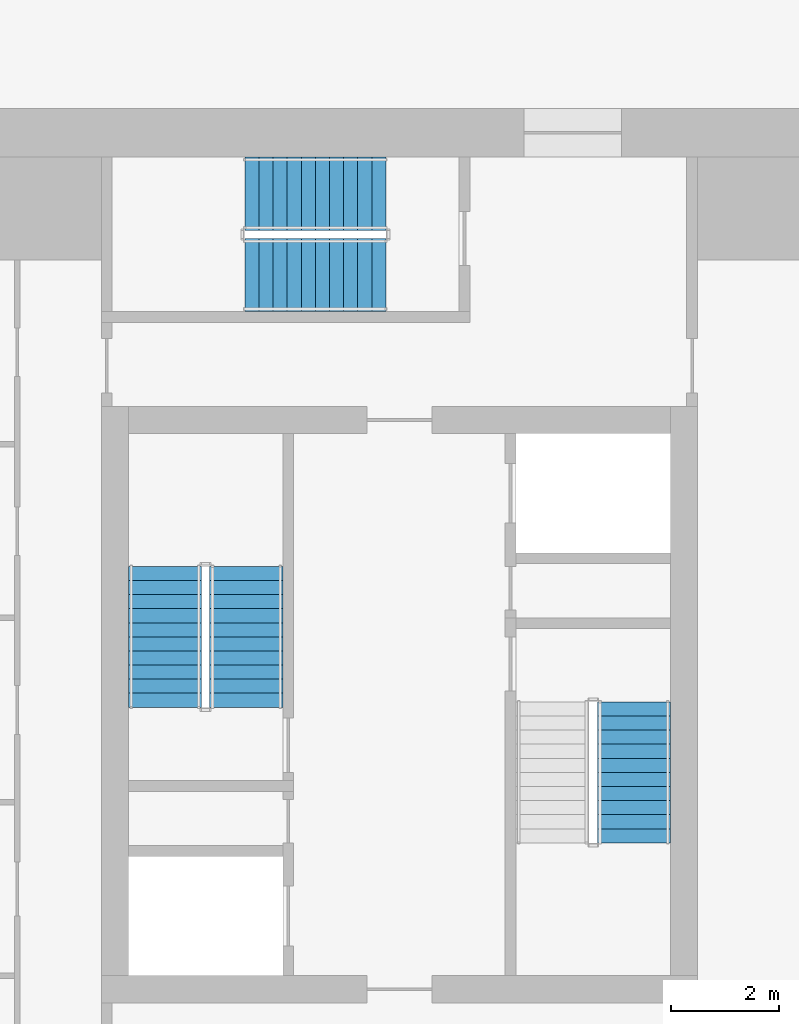
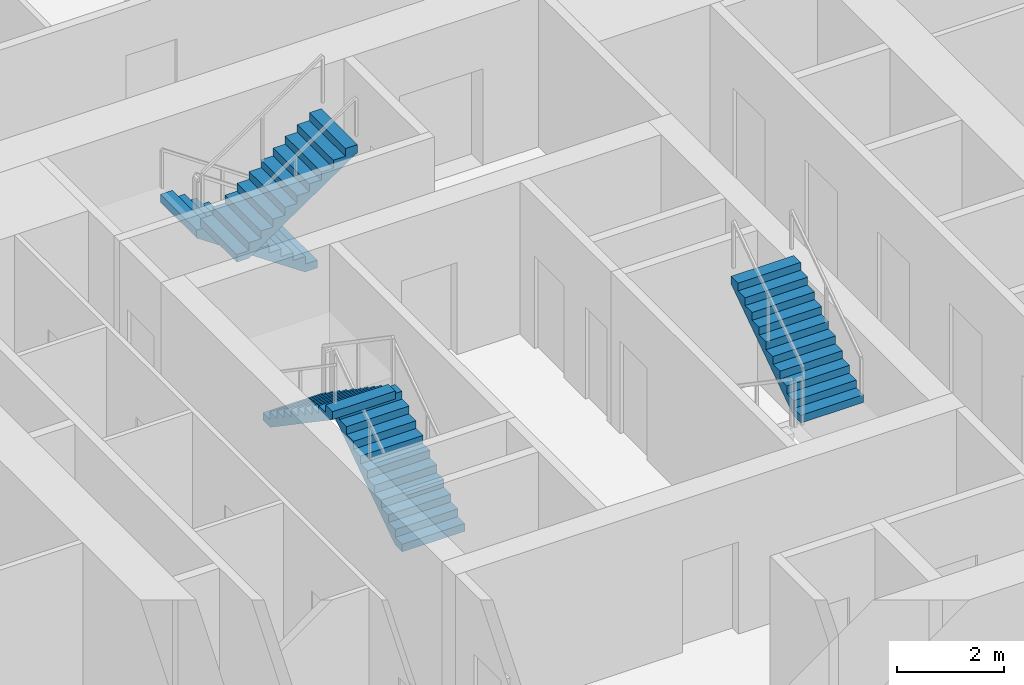
# One storey, part 11 of 16: 5 stair flights, 3 elements without a shape of their own.
"""IFC4 building model written with IfcOpenShell, lengths in metres."""

from ifc_helpers import new_model, si_unit, direction, frame, origin, place, context, subcontext, project, spatial, polyline, outline, extrude, material, type_object, element, aggregate, save


model = new_model("IFC4")

# Units and contexts
model_context = context("Model", 3, precision=1e-05, world=origin(), true_north=direction((0.0, 1.0)))
body_context = subcontext(model_context, "Body", "Model", "MODEL_VIEW")
ifc_project = project(units=[si_unit("LENGTHUNIT", "METRE"), si_unit("AREAUNIT", "SQUARE_METRE"), si_unit("VOLUMEUNIT", "CUBIC_METRE"), si_unit("PLANEANGLEUNIT", "RADIAN"), si_unit("MASSUNIT", "GRAM", prefix="KILO")], contexts=[model_context])

# Site, building, storey
site_placement = place(None, origin())
site = spatial("IfcSite", under=ifc_project, at=site_placement, CompositionType="ELEMENT")
building_placement = place(site_placement, origin())
building = spatial("IfcBuilding", under=site, at=building_placement, Name="Khepri Terraces", CompositionType="ELEMENT")
storey_placement = place(building_placement, frame((0.0, 0.0, 240.60009765625)))
storey = spatial("IfcBuildingStorey", under=building, at=storey_placement, Name="L57", CompositionType="ELEMENT", Elevation=240.60009765625)

# Stair, stair flights
ifc_material = material(Name="Concrete C40/50", Category="concrete")
stair_type = type_object("IfcStairType", Name="STAIR-RC-22R", PredefinedType="HALF_TURN_STAIR", material=ifc_material)
stair_1_placement = place(storey_placement, origin())
stair_1 = element("IfcStair", 1, at=stair_1_placement, inside=storey, type_object=stair_type, Name="L57 Exit Stair ST-1", PredefinedType="HALF_TURN_STAIR")
stair_flight_type = type_object("IfcStairFlightType", Name="SFL-RC-177.3", PredefinedType="STRAIGHT", material=ifc_material)
stair_flight_1_placement = place(storey_placement, frame((-2.824951171875, -0.050048828125, 0.0), z_axis=(0.0, 0.0, 1.0), x_axis=(0.0, 1.0, 0.0)))
stair_flight_1 = element("IfcStairFlight", 2, at=stair_flight_1_placement, type_object=stair_flight_type, Name="ST-1 flight 1", NumberOfRisers=11, NumberOfTreads=10, PredefinedType="STRAIGHT", RiserHeight=0.177272727, TreadLength=0.26, context=body_context, shape_type="SweptSolid", body=[
    extrude(outline(polyline([(0.0, 0.0), (0.0, 0.17724609375), (0.260009765625, 0.17724609375), (0.260009765625, 0.3544921875), (0.52001953125, 0.3544921875), (0.52001953125, 0.53173828125), (0.780029296875, 0.53173828125), (0.780029296875, 0.708984375), (1.0400390625, 0.708984375), (1.0400390625, 0.886474609375), (1.300048828125, 0.886474609375), (1.300048828125, 1.063720703125), (1.56005859375, 1.063720703125), (1.56005859375, 1.240966796875), (1.820068359375, 1.240966796875), (1.820068359375, 1.418212890625), (2.080078125, 1.418212890625), (2.080078125, 1.595458984375), (2.340087890625, 1.595458984375), (2.340087890625, 1.772705078125), (2.60009765625, 1.772705078125), (2.60009765625, 1.949951171875), (2.60009765625, 1.59130859375), (0.26611328125, 0.0), (0.0, 0.0)])), frame((0.0, 0.675048828125, 0.0), z_axis=(0.0, -1.0, 0.0), x_axis=(1.0, 0.0, 0.0)), (0.0, 0.0, 1.0), 1.35009765625),
])
stair_flight_2_placement = place(storey_placement, frame((-4.324951171875, 2.550048828125, 1.949951171875), z_axis=(0.0, 0.0, 1.0), x_axis=(0.0, -1.0, 0.0)))
stair_flight_2 = element("IfcStairFlight", 3, at=stair_flight_2_placement, type_object=stair_flight_type, Name="ST-1 flight 2", NumberOfRisers=11, NumberOfTreads=10, PredefinedType="STRAIGHT", RiserHeight=0.177272727, TreadLength=0.26, context=body_context, shape_type="SweptSolid", body=[
    extrude(outline(polyline([(0.0, 0.0), (0.0, 0.17724609375), (0.260009765625, 0.17724609375), (0.260009765625, 0.3544921875), (0.52001953125, 0.3544921875), (0.52001953125, 0.53173828125), (0.780029296875, 0.53173828125), (0.780029296875, 0.708984375), (1.0400390625, 0.708984375), (1.0400390625, 0.886474609375), (1.300048828125, 0.886474609375), (1.300048828125, 1.063720703125), (1.56005859375, 1.063720703125), (1.56005859375, 1.240966796875), (1.820068359375, 1.240966796875), (1.820068359375, 1.418212890625), (2.080078125, 1.418212890625), (2.080078125, 1.595458984375), (2.340087890625, 1.595458984375), (2.340087890625, 1.772705078125), (2.60009765625, 1.772705078125), (2.60009765625, 1.949951171875), (2.60009765625, 1.59130859375), (0.26611328125, 0.0), (0.0, 0.0)])), frame((0.0, 0.675048828125, 0.0), z_axis=(0.0, -1.0, 0.0), x_axis=(1.0, 0.0, 0.0)), (0.0, 0.0, 1.0), 1.35009765625),
])
aggregate(stair_1, [stair_flight_1, stair_flight_2])

# Stair, stair flight
stair_2_placement = place(storey_placement, origin())
stair_2 = element("IfcStair", 4, at=stair_2_placement, inside=storey, type_object=stair_type, Name="L57 Exit Stair ST-2", PredefinedType="HALF_TURN_STAIR")
stair_flight_3_placement = place(storey_placement, frame((4.324951171875, -2.550048828125, 1.949951171875), z_axis=(0.0, 0.0, 1.0), x_axis=(0.0, 1.0, 0.0)))
stair_flight_3 = element("IfcStairFlight", 5, at=stair_flight_3_placement, type_object=stair_flight_type, Name="ST-2 flight 2", NumberOfRisers=11, NumberOfTreads=10, PredefinedType="STRAIGHT", RiserHeight=0.177272727, TreadLength=0.26, context=body_context, shape_type="SweptSolid", body=[
    extrude(outline(polyline([(0.0, 0.0), (0.0, 0.17724609375), (0.260009765625, 0.17724609375), (0.260009765625, 0.3544921875), (0.52001953125, 0.3544921875), (0.52001953125, 0.53173828125), (0.780029296875, 0.53173828125), (0.780029296875, 0.708984375), (1.0400390625, 0.708984375), (1.0400390625, 0.886474609375), (1.300048828125, 0.886474609375), (1.300048828125, 1.063720703125), (1.56005859375, 1.063720703125), (1.56005859375, 1.240966796875), (1.820068359375, 1.240966796875), (1.820068359375, 1.418212890625), (2.080078125, 1.418212890625), (2.080078125, 1.595458984375), (2.340087890625, 1.595458984375), (2.340087890625, 1.772705078125), (2.60009765625, 1.772705078125), (2.60009765625, 1.949951171875), (2.60009765625, 1.59130859375), (0.26611328125, 0.0), (0.0, 0.0)])), frame((0.0, 0.675048828125, 0.0), z_axis=(0.0, -1.0, 0.0), x_axis=(1.0, 0.0, 0.0)), (0.0, 0.0, 1.0), 1.35009765625),
])
aggregate(stair_2, [stair_flight_3])

# Stair, stair flights
stair_3_placement = place(storey_placement, origin())
stair_3 = element("IfcStair", 6, at=stair_3_placement, inside=storey, type_object=stair_type, Name="L57 Exit Stair ST-3", PredefinedType="HALF_TURN_STAIR")
stair_flight_4_placement = place(storey_placement, frame((-0.25, 9.425048828125, 0.0), z_axis=(0.0, 0.0, 1.0), x_axis=(-1.0, 0.0, 0.0)))
stair_flight_4 = element("IfcStairFlight", 7, at=stair_flight_4_placement, type_object=stair_flight_type, Name="ST-3 flight 1", NumberOfRisers=11, NumberOfTreads=10, PredefinedType="STRAIGHT", RiserHeight=0.177272727, TreadLength=0.26, context=body_context, shape_type="SweptSolid", body=[
    extrude(outline(polyline([(0.0, 0.0), (0.0, 0.17724609375), (0.260009765625, 0.17724609375), (0.260009765625, 0.3544921875), (0.52001953125, 0.3544921875), (0.52001953125, 0.53173828125), (0.780029296875, 0.53173828125), (0.780029296875, 0.708984375), (1.0400390625, 0.708984375), (1.0400390625, 0.886474609375), (1.300048828125, 0.886474609375), (1.300048828125, 1.063720703125), (1.56005859375, 1.063720703125), (1.56005859375, 1.240966796875), (1.820068359375, 1.240966796875), (1.820068359375, 1.418212890625), (2.080078125, 1.418212890625), (2.080078125, 1.595458984375), (2.340087890625, 1.595458984375), (2.340087890625, 1.772705078125), (2.60009765625, 1.772705078125), (2.60009765625, 1.949951171875), (2.60009765625, 1.59130859375), (0.26611328125, 0.0), (0.0, 0.0)])), frame((0.0, 0.675048828125, 0.0), z_axis=(0.0, -1.0, 0.0), x_axis=(1.0, 0.0, 0.0)), (0.0, 0.0, 1.0), 1.35009765625),
])
stair_flight_5_placement = place(storey_placement, frame((-2.85009765625, 7.925048828125, 1.949951171875), z_axis=(0.0, 0.0, 1.0), x_axis=(1.0, 0.0, 0.0)))
stair_flight_5 = element("IfcStairFlight", 8, at=stair_flight_5_placement, type_object=stair_flight_type, Name="ST-3 flight 2", NumberOfRisers=11, NumberOfTreads=10, PredefinedType="STRAIGHT", RiserHeight=0.177272727, TreadLength=0.26, context=body_context, shape_type="SweptSolid", body=[
    extrude(outline(polyline([(0.0, 0.0), (0.0, 0.17724609375), (0.260009765625, 0.17724609375), (0.260009765625, 0.3544921875), (0.52001953125, 0.3544921875), (0.52001953125, 0.53173828125), (0.780029296875, 0.53173828125), (0.780029296875, 0.708984375), (1.0400390625, 0.708984375), (1.0400390625, 0.886474609375), (1.300048828125, 0.886474609375), (1.300048828125, 1.063720703125), (1.56005859375, 1.063720703125), (1.56005859375, 1.240966796875), (1.820068359375, 1.240966796875), (1.820068359375, 1.418212890625), (2.080078125, 1.418212890625), (2.080078125, 1.595458984375), (2.340087890625, 1.595458984375), (2.340087890625, 1.772705078125), (2.60009765625, 1.772705078125), (2.60009765625, 1.949951171875), (2.60009765625, 1.59130859375), (0.26611328125, 0.0), (0.0, 0.0)])), frame((0.0, 0.675048828125, 0.0), z_axis=(0.0, -1.0, 0.0), x_axis=(1.0, 0.0, 0.0)), (0.0, 0.0, 1.0), 1.35009765625),
])
aggregate(stair_3, [stair_flight_4, stair_flight_5])

save(model, "model.ifc")
